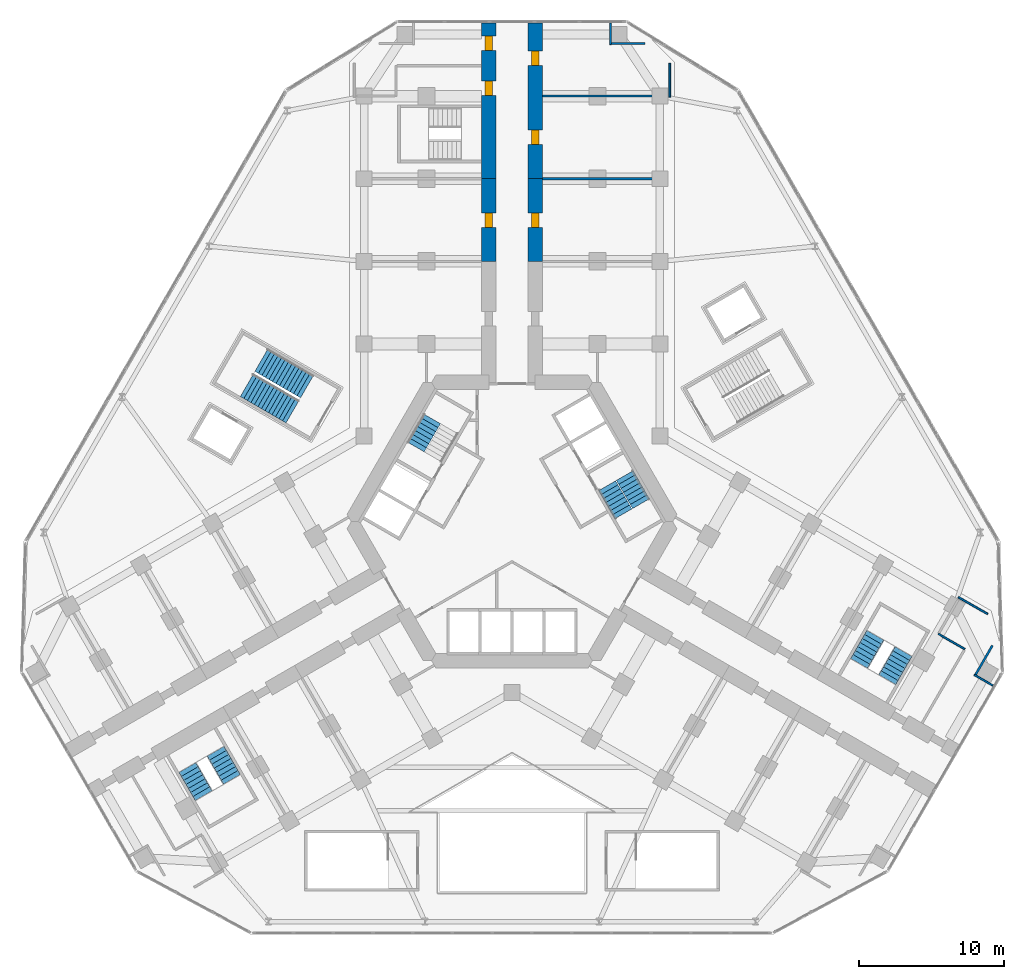
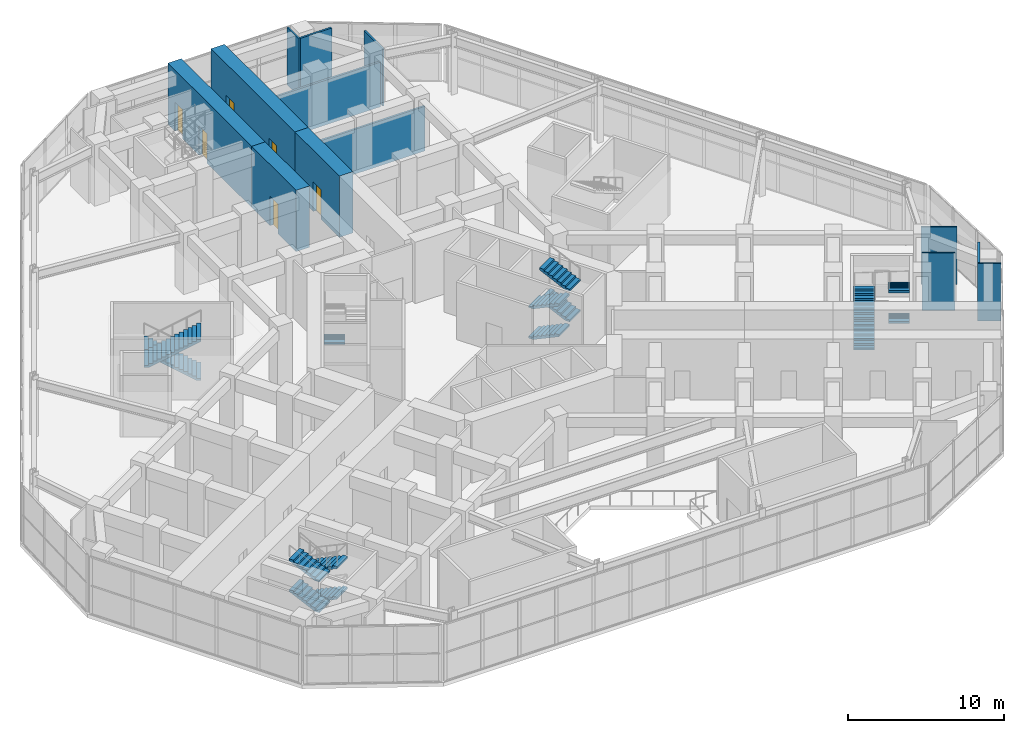
# One storey, part 18 of 22: 15 stair flights, 13 walls, 6 doors, 6 openings, 5 elements without a shape of their own.
"""IFC4 building model written with IfcOpenShell, lengths in metres."""

from ifc_helpers import new_model, si_unit, direction, frame, frame_2d, origin, place, context, subcontext, project, spatial, polyline, rectangle, outline, extrude, material, layer, layer_set, type_object, element, fill, aggregate, save


model = new_model("IFC4")

# Units and contexts
model_context = context("Model", 3, precision=1e-05, world=origin(), true_north=direction((0.0, 1.0)))
body_context = subcontext(model_context, "Body", "Model", "MODEL_VIEW")
ifc_project = project(units=[si_unit("LENGTHUNIT", "METRE"), si_unit("AREAUNIT", "SQUARE_METRE"), si_unit("VOLUMEUNIT", "CUBIC_METRE"), si_unit("PLANEANGLEUNIT", "RADIAN"), si_unit("MASSUNIT", "GRAM", prefix="KILO")], contexts=[model_context])

# Site, building, storey
site_placement = place(None, origin())
site = spatial("IfcSite", under=ifc_project, at=site_placement, CompositionType="ELEMENT")
building_placement = place(site_placement, origin())
building = spatial("IfcBuilding", under=site, at=building_placement, Name="Kosmar Iwan School Tower", CompositionType="ELEMENT")
storey_placement = place(building_placement, frame((0.0, 0.0, 15.60009765625)))
storey = spatial("IfcBuildingStorey", under=building, at=storey_placement, Name="L03", CompositionType="ELEMENT", Elevation=15.60009765625)

# Wall, opening, door
ifc_material_1 = material(Name="Concrete C50/60", Category="concrete")
ifc_layer_1 = layer(ifc_material_1, 1.0)
ifc_layer_set_1 = layer_set([ifc_layer_1], Name="Corridor buttress wall 1000")
wall_type_1 = type_object("IfcWallType", Name="Corridor buttress wall 1000", PredefinedType="SHEAR", material=ifc_layer_set_1)
wall_1_placement = place(storey_placement, frame((-1.60009765625, 17.949951171875, 0.0), z_axis=(0.0, 0.0, 1.0), x_axis=(0.0, 1.0, 0.0)))
wall_1 = element("IfcWall", 1, at=wall_1_placement, inside=storey, type_object=wall_type_1, Name="Corridor wall AL bay 2", PredefinedType="SHEAR", context=body_context, shape_type="SweptSolid", body=[
    extrude(rectangle(XDim=5.699951171875, YDim=1.0, at=frame_2d((2.85009765625, 0.0))), origin(), (0.0, 0.0, 1.0), 4.7998046875),
])
opening_1_placement = place(wall_1_placement, frame((2.35009765625, 0.0, 0.0)))
opening_1 = element("IfcOpeningElement", 2, at=opening_1_placement, cuts=wall_1, Name="Opening D4", PredefinedType="OPENING", context=body_context, shape_type="SweptSolid", body=[
    extrude(rectangle(XDim=1.0, YDim=2.300048828125, at=frame_2d((0.5, 1.14990234375))), frame((0.0, 0.511962890625, 0.0), z_axis=(0.0, -1.0, 0.0), x_axis=(1.0, 0.0, 0.0)), (0.0, 0.0, 1.0), 1.02392578125),
])
ifc_material_2 = material(Name="Timber fire door with vision panel", Category="wood")
door_type = type_object("IfcDoorType", Name="Classroom door 1000x2300", OperationType="SINGLE_SWING_LEFT", PredefinedType="DOOR", material=ifc_material_2)
door_1_placement = place(opening_1_placement, origin())
door_1 = element("IfcDoor", 3, at=door_1_placement, inside=storey, type_object=door_type, Name="Secondary classroom AL2 door L03-AL2", OperationType="SINGLE_SWING_RIGHT", OverallHeight=2.300048828125, OverallWidth=1.0, PredefinedType="DOOR", context=body_context, shape_type="SweptSolid", body=[
    extrude(rectangle(XDim=1.0, YDim=2.300048828125, at=frame_2d((0.5, 1.14990234375))), frame((0.0, 0.25, 0.0), z_axis=(0.0, -1.0, 0.0), x_axis=(1.0, 0.0, 0.0)), (0.0, 0.0, 1.0), 0.5),
])
fill(opening_1, door_1)

# Wall, openings, doors
wall_2_placement = place(storey_placement, frame((-1.60009765625, 23.64990234375, 0.0), z_axis=(0.0, 0.0, 1.0), x_axis=(0.0, 1.0, 0.0)))
wall_2 = element("IfcWall", 4, at=wall_2_placement, inside=storey, type_object=wall_type_1, Name="Corridor wall AL bay 3", PredefinedType="SHEAR", context=body_context, shape_type="SweptSolid", body=[
    extrude(rectangle(XDim=10.7451171875, YDim=1.0, at=frame_2d((5.37255859375, 0.0))), origin(), (0.0, 0.0, 1.0), 4.7998046875),
])
opening_2_placement = place(wall_2_placement, frame((5.75, 0.0, 0.0)))
opening_2 = element("IfcOpeningElement", 5, at=opening_2_placement, cuts=wall_2, Name="Opening D4", PredefinedType="OPENING", context=body_context, shape_type="SweptSolid", body=[
    extrude(rectangle(XDim=1.0, YDim=2.300048828125, at=frame_2d((0.5, 1.14990234375))), frame((0.0, 0.511962890625, 0.0), z_axis=(0.0, -1.0, 0.0), x_axis=(1.0, 0.0, 0.0)), (0.0, 0.0, 1.0), 1.02392578125),
])
opening_3_placement = place(wall_2_placement, frame((8.860107421875, 0.0, 0.0)))
opening_3 = element("IfcOpeningElement", 6, at=opening_3_placement, cuts=wall_2, Name="Opening D4", PredefinedType="OPENING", context=body_context, shape_type="SweptSolid", body=[
    extrude(rectangle(XDim=1.0, YDim=2.300048828125, at=frame_2d((0.5, 1.14990234375))), frame((0.0, 0.511962890625, 0.0), z_axis=(0.0, -1.0, 0.0), x_axis=(1.0, 0.0, 0.0)), (0.0, 0.0, 1.0), 1.02392578125),
])
door_2_placement = place(opening_2_placement, origin())
door_2 = element("IfcDoor", 7, at=door_2_placement, inside=storey, type_object=door_type, Name="Secondary classroom AL3 door L03-AL3", OperationType="SINGLE_SWING_LEFT", OverallHeight=2.300048828125, OverallWidth=1.0, PredefinedType="DOOR", context=body_context, shape_type="SweptSolid", body=[
    extrude(rectangle(XDim=1.0, YDim=2.300048828125, at=frame_2d((0.5, 1.14990234375))), frame((0.0, 0.25, 0.0), z_axis=(0.0, -1.0, 0.0), x_axis=(1.0, 0.0, 0.0)), (0.0, 0.0, 1.0), 0.5),
])
fill(opening_2, door_2)
door_3_placement = place(opening_3_placement, origin())
door_3 = element("IfcDoor", 8, at=door_3_placement, inside=storey, type_object=door_type, Name="Toilets door L03-AL4", OperationType="SINGLE_SWING_RIGHT", OverallHeight=2.300048828125, OverallWidth=1.0, PredefinedType="DOOR", context=body_context, shape_type="SweptSolid", body=[
    extrude(rectangle(XDim=1.0, YDim=2.300048828125, at=frame_2d((0.5, 1.14990234375))), frame((0.0, 0.25, 0.0), z_axis=(0.0, -1.0, 0.0), x_axis=(1.0, 0.0, 0.0)), (0.0, 0.0, 1.0), 0.5),
])
fill(opening_3, door_3)

# Wall, opening, door
wall_3_placement = place(storey_placement, frame((1.60009765625, 17.949951171875, 0.0), z_axis=(0.0, 0.0, 1.0), x_axis=(0.0, 1.0, 0.0)))
wall_3 = element("IfcWall", 9, at=wall_3_placement, inside=storey, type_object=wall_type_1, Name="Corridor wall AR bay 2", PredefinedType="SHEAR", context=body_context, shape_type="SweptSolid", body=[
    extrude(rectangle(XDim=5.699951171875, YDim=1.0, at=frame_2d((2.85009765625, 0.0))), origin(), (0.0, 0.0, 1.0), 4.7998046875),
])
opening_4_placement = place(wall_3_placement, frame((2.35009765625, 0.0, 0.0)))
opening_4 = element("IfcOpeningElement", 10, at=opening_4_placement, cuts=wall_3, Name="Opening D4", PredefinedType="OPENING", context=body_context, shape_type="SweptSolid", body=[
    extrude(rectangle(XDim=1.0, YDim=2.300048828125, at=frame_2d((0.5, 1.14990234375))), frame((0.0, 0.511962890625, 0.0), z_axis=(0.0, -1.0, 0.0), x_axis=(1.0, 0.0, 0.0)), (0.0, 0.0, 1.0), 1.02392578125),
])
door_4_placement = place(opening_4_placement, origin())
door_4 = element("IfcDoor", 11, at=door_4_placement, inside=storey, type_object=door_type, Name="Secondary classroom AR2 door L03-AR2", OperationType="SINGLE_SWING_LEFT", OverallHeight=2.300048828125, OverallWidth=1.0, PredefinedType="DOOR", context=body_context, shape_type="SweptSolid", body=[
    extrude(rectangle(XDim=1.0, YDim=2.300048828125, at=frame_2d((0.5, 1.14990234375))), frame((0.0, 0.25, 0.0), z_axis=(0.0, -1.0, 0.0), x_axis=(1.0, 0.0, 0.0)), (0.0, 0.0, 1.0), 0.5),
])
fill(opening_4, door_4)

# Wall, openings, doors
wall_4_placement = place(storey_placement, frame((1.60009765625, 23.64990234375, 0.0), z_axis=(0.0, 0.0, 1.0), x_axis=(0.0, 1.0, 0.0)))
wall_4 = element("IfcWall", 12, at=wall_4_placement, inside=storey, type_object=wall_type_1, Name="Corridor wall AR bay 3", PredefinedType="SHEAR", context=body_context, shape_type="SweptSolid", body=[
    extrude(rectangle(XDim=10.7451171875, YDim=1.0, at=frame_2d((5.37255859375, 0.0))), origin(), (0.0, 0.0, 1.0), 4.7998046875),
])
opening_5_placement = place(wall_4_placement, frame((2.35009765625, 0.0, 0.0)))
opening_5 = element("IfcOpeningElement", 13, at=opening_5_placement, cuts=wall_4, Name="Opening D4", PredefinedType="OPENING", context=body_context, shape_type="SweptSolid", body=[
    extrude(rectangle(XDim=1.0, YDim=2.300048828125, at=frame_2d((0.5, 1.14990234375))), frame((0.0, 0.511962890625, 0.0), z_axis=(0.0, -1.0, 0.0), x_axis=(1.0, 0.0, 0.0)), (0.0, 0.0, 1.0), 1.02392578125),
])
opening_6_placement = place(wall_4_placement, frame((7.824951171875, 0.0, 0.0)))
opening_6 = element("IfcOpeningElement", 14, at=opening_6_placement, cuts=wall_4, Name="Opening D4", PredefinedType="OPENING", context=body_context, shape_type="SweptSolid", body=[
    extrude(rectangle(XDim=1.0, YDim=2.300048828125, at=frame_2d((0.5, 1.14990234375))), frame((0.0, 0.511962890625, 0.0), z_axis=(0.0, -1.0, 0.0), x_axis=(1.0, 0.0, 0.0)), (0.0, 0.0, 1.0), 1.02392578125),
])
door_5_placement = place(opening_5_placement, origin())
door_5 = element("IfcDoor", 15, at=door_5_placement, inside=storey, type_object=door_type, Name="Secondary classroom AR3 door L03-AR3", OperationType="SINGLE_SWING_LEFT", OverallHeight=2.300048828125, OverallWidth=1.0, PredefinedType="DOOR", context=body_context, shape_type="SweptSolid", body=[
    extrude(rectangle(XDim=1.0, YDim=2.300048828125, at=frame_2d((0.5, 1.14990234375))), frame((0.0, 0.25, 0.0), z_axis=(0.0, -1.0, 0.0), x_axis=(1.0, 0.0, 0.0)), (0.0, 0.0, 1.0), 0.5),
])
fill(opening_5, door_5)
door_6_placement = place(opening_6_placement, origin())
door_6 = element("IfcDoor", 16, at=door_6_placement, inside=storey, type_object=door_type, Name="Toilets door L03-AR4", OperationType="SINGLE_SWING_RIGHT", OverallHeight=2.300048828125, OverallWidth=1.0, PredefinedType="DOOR", context=body_context, shape_type="SweptSolid", body=[
    extrude(rectangle(XDim=1.0, YDim=2.300048828125, at=frame_2d((0.5, 1.14990234375))), frame((0.0, 0.25, 0.0), z_axis=(0.0, -1.0, 0.0), x_axis=(1.0, 0.0, 0.0)), (0.0, 0.0, 1.0), 0.5),
])
fill(opening_6, door_6)

# Walls
ifc_material_3 = material(Name="Gypsum board on steel studs", Category="steel")
ifc_layer_2 = layer(ifc_material_3, 0.1201171875)
ifc_layer_set_2 = layer_set([ifc_layer_2], Name="Dwelling partition 120")
wall_type_2 = type_object("IfcWallType", Name="Dwelling partition 120", PredefinedType="PARTITIONING", material=ifc_layer_set_2)
wall_5_placement = place(storey_placement, frame((6.7900390625, 32.89990234375, 0.0), z_axis=(0.0, 0.0, 1.0), x_axis=(0.0, 1.0, 0.0)))
element("IfcWall", 17, at=wall_5_placement, inside=storey, type_object=wall_type_2, Name="Partition L03-AR-DL", PredefinedType="PARTITIONING", context=body_context, shape_type="SweptSolid", body=[
    extrude(rectangle(XDim=1.4951171875, YDim=0.1201171875, at=frame_2d((0.74755859375, 0.0))), origin(), (0.0, 0.0, 1.0), 4.5),
])
wall_6_placement = place(storey_placement, frame((10.8798828125, 29.27490234375, 0.0), z_axis=(0.0, 0.0, 1.0), x_axis=(0.0, 1.0, 0.0)))
element("IfcWall", 18, at=wall_6_placement, inside=storey, type_object=wall_type_2, Name="Partition L03-AR-TW", PredefinedType="PARTITIONING", context=body_context, shape_type="SweptSolid", body=[
    extrude(rectangle(XDim=2.3251953125, YDim=0.1201171875, at=frame_2d((1.16259765625, 0.0))), origin(), (0.0, 0.0, 1.0), 4.5),
])
wall_7_placement = place(storey_placement, frame((31.88720703125, -10.569580078125, 0.0), z_axis=(0.0, 0.0, 1.0), x_axis=(0.866003374288, -0.500038154266, 0.0)))
element("IfcWall", 19, at=wall_7_placement, inside=storey, type_object=wall_type_2, Name="Partition L03-CL-DL", PredefinedType="PARTITIONING", context=body_context, shape_type="SweptSolid", body=[
    extrude(rectangle(XDim=1.4951171875, YDim=0.1201171875, at=frame_2d((0.74755859375, 0.0))), origin(), (0.0, 0.0, 1.0), 4.5),
])
wall_8_placement = place(storey_placement, frame((30.79296875, -5.215087890625, 0.0), z_axis=(0.0, 0.0, 1.0), x_axis=(0.865998469481, -0.500046648681, 0.0)))
element("IfcWall", 20, at=wall_8_placement, inside=storey, type_object=wall_type_2, Name="Partition L03-CL-TW", PredefinedType="PARTITIONING", context=body_context, shape_type="SweptSolid", body=[
    extrude(rectangle(XDim=2.324951171875, YDim=0.1201171875, at=frame_2d((1.16259765625, 0.0))), origin(), (0.0, 0.0, 1.0), 4.5),
])
wall_9_placement = place(storey_placement, frame((29.417724609375, -7.746826171875, 0.0), z_axis=(0.0, 0.0, 1.0), x_axis=(0.866038466041, -0.499977374825, 0.0)))
element("IfcWall", 21, at=wall_9_placement, inside=storey, type_object=wall_type_2, Name="Partition L03-CL-X3L", PredefinedType="PARTITIONING", context=body_context, shape_type="SweptSolid", body=[
    extrude(rectangle(XDim=2.10009765625, YDim=0.1201171875, at=frame_2d((1.050048828125, 0.0))), origin(), (0.0, 0.0, 1.0), 4.5),
])
ifc_material_4 = material(Name="Gypsum board on steel studs", Category="steel")
ifc_layer_3 = layer(ifc_material_4, 0.14990234375)
ifc_layer_set_3 = layer_set([ifc_layer_3], Name="School partition 150")
wall_type_3 = type_object("IfcWallType", Name="School partition 150", PredefinedType="PARTITIONING", material=ifc_layer_set_3)
wall_10_placement = place(storey_placement, frame((6.72998046875, 32.97509765625, 0.0), z_axis=(0.0, 0.0, 1.0), x_axis=(1.0, 0.0, 0.0)))
element("IfcWall", 22, at=wall_10_placement, inside=storey, type_object=wall_type_3, Name="Partition L03-AR-DC", PredefinedType="PARTITIONING", context=body_context, shape_type="SweptSolid", body=[
    extrude(rectangle(XDim=2.445068359375, YDim=0.14990234375, at=frame_2d((1.22265625, 0.0))), origin(), (0.0, 0.0, 1.0), 4.5),
])
for number, where, z_axis, x_axis, name in (
    (23, (2.10009765625, 23.64990234375, 0.0), (0.0, 0.0, 1.0), (1.0, 0.0, 0.0), "Partition L03-AR-X2"),
    (24, (2.10009765625, 29.35009765625, 0.0), (0.0, 0.0, 1.0), (1.0, 0.0, 0.0), "Partition L03-AR-X3"),
):
    element("IfcWall", number, at=place(storey_placement, frame(where, z_axis=z_axis, x_axis=x_axis)), inside=storey, type_object=wall_type_3, Name=name, PredefinedType="PARTITIONING", context=body_context, shape_type="SweptSolid", body=[
        extrude(rectangle(XDim=8.599853515625, YDim=0.14990234375, at=frame_2d((4.2998046875, 0.0))), origin(), (0.0, 0.0, 1.0), 3.5),
    ])
wall_11_placement = place(storey_placement, frame((31.922119140625, -10.6591796875, 0.0), z_axis=(0.0, 0.0, 1.0), x_axis=(0.500048010679, 0.865997683031, 0.0)))
element("IfcWall", 25, at=wall_11_placement, inside=storey, type_object=wall_type_3, Name="Partition L03-CL-DC", PredefinedType="PARTITIONING", context=body_context, shape_type="SweptSolid", body=[
    extrude(rectangle(XDim=2.445068359375, YDim=0.14990234375, at=frame_2d((1.22265625, 0.0))), origin(), (0.0, 0.0, 1.0), 4.5),
])

# Stair, stair flights
ifc_material_5 = material(Name="Concrete C35/45", Category="concrete")
stair_type_1 = type_object("IfcStairType", Name="Escape stair 3600", PredefinedType="HALF_TURN_STAIR", material=ifc_material_5)
stair_1_placement = place(storey_placement, origin())
stair_1 = element("IfcStair", 26, at=stair_1_placement, inside=storey, type_object=stair_type_1, Name="Stair WS2 L03", PredefinedType="HALF_TURN_STAIR")
ifc_material_6 = material(Name="Concrete C35/45", Category="concrete")
stair_flight_type_1 = type_object("IfcStairFlightType", Name="Escape stair flight 1350", PredefinedType="STRAIGHT", material=ifc_material_6)
stair_flight_1_placement = place(storey_placement, frame((-20.44189453125, -15.843505859375, 0.0), z_axis=(0.0, 0.0, 1.0), x_axis=(0.5, -0.866025403784, 0.0)))
stair_flight_1 = element("IfcStairFlight", 27, at=stair_flight_1_placement, type_object=stair_flight_type_1, Name="WS2 flight 1", NumberOfRisers=8, NumberOfTreads=7, PredefinedType="STRAIGHT", RiserHeight=0.15, TreadLength=0.32, context=body_context, shape_type="SweptSolid", body=[
    extrude(outline(polyline([(0.0, 0.0), (0.0, 0.14990234375), (0.320068359375, 0.14990234375), (0.320068359375, 0.300048828125), (0.639892578125, 0.300048828125), (0.639892578125, 0.449951171875), (0.9599609375, 0.449951171875), (0.9599609375, 0.60009765625), (1.280029296875, 0.60009765625), (1.280029296875, 0.75), (1.60009765625, 0.75), (1.60009765625, 0.89990234375), (1.919921875, 0.89990234375), (1.919921875, 1.050048828125), (2.239990234375, 1.050048828125), (2.239990234375, 1.199951171875), (2.239990234375, 0.884521484375), (0.353271484375, 0.0), (0.0, 0.0)])), frame((0.0, 0.675048828125, 0.0), z_axis=(0.0, -1.0, 0.0), x_axis=(1.0, 0.0, 0.0)), (0.0, 0.0, 1.0), 1.35009765625),
])
stair_flight_2_placement = place(storey_placement, frame((-21.2705078125, -18.908447265625, 1.199951171875), z_axis=(0.0, 0.0, 1.0), x_axis=(-0.5, 0.866025403784, 0.0)))
stair_flight_2 = element("IfcStairFlight", 28, at=stair_flight_2_placement, type_object=stair_flight_type_1, Name="WS2 flight 2", NumberOfRisers=8, NumberOfTreads=7, PredefinedType="STRAIGHT", RiserHeight=0.15, TreadLength=0.32, context=body_context, shape_type="SweptSolid", body=[
    extrude(outline(polyline([(0.0, 0.0), (0.0, 0.14990234375), (0.320068359375, 0.14990234375), (0.320068359375, 0.300048828125), (0.639892578125, 0.300048828125), (0.639892578125, 0.449951171875), (0.9599609375, 0.449951171875), (0.9599609375, 0.60009765625), (1.280029296875, 0.60009765625), (1.280029296875, 0.75), (1.60009765625, 0.75), (1.60009765625, 0.89990234375), (1.919921875, 0.89990234375), (1.919921875, 1.050048828125), (2.239990234375, 1.050048828125), (2.239990234375, 1.199951171875), (2.239990234375, 0.884521484375), (0.353271484375, 0.0), (0.0, 0.0)])), frame((0.0, 0.675048828125, 0.0), z_axis=(0.0, -1.0, 0.0), x_axis=(1.0, 0.0, 0.0)), (0.0, 0.0, 1.0), 1.35009765625),
])
stair_flight_3_placement = place(storey_placement, frame((-20.44189453125, -15.843505859375, 2.39990234375), z_axis=(0.0, 0.0, 1.0), x_axis=(0.5, -0.866025403784, 0.0)))
stair_flight_3 = element("IfcStairFlight", 29, at=stair_flight_3_placement, type_object=stair_flight_type_1, Name="WS2 flight 3", NumberOfRisers=8, NumberOfTreads=7, PredefinedType="STRAIGHT", RiserHeight=0.15, TreadLength=0.32, context=body_context, shape_type="SweptSolid", body=[
    extrude(outline(polyline([(0.0, 0.0), (0.0, 0.14990234375), (0.320068359375, 0.14990234375), (0.320068359375, 0.300048828125), (0.639892578125, 0.300048828125), (0.639892578125, 0.449951171875), (0.9599609375, 0.449951171875), (0.9599609375, 0.60009765625), (1.280029296875, 0.60009765625), (1.280029296875, 0.75), (1.60009765625, 0.75), (1.60009765625, 0.89990234375), (1.919921875, 0.89990234375), (1.919921875, 1.050048828125), (2.239990234375, 1.050048828125), (2.239990234375, 1.199951171875), (2.239990234375, 0.884521484375), (0.353271484375, 0.0), (0.0, 0.0)])), frame((0.0, 0.675048828125, 0.0), z_axis=(0.0, -1.0, 0.0), x_axis=(1.0, 0.0, 0.0)), (0.0, 0.0, 1.0), 1.35009765625),
])
stair_flight_4_placement = place(storey_placement, frame((-21.2705078125, -18.908447265625, 3.599853515625), z_axis=(0.0, 0.0, 1.0), x_axis=(-0.5, 0.866025403784, 0.0)))
stair_flight_4 = element("IfcStairFlight", 30, at=stair_flight_4_placement, type_object=stair_flight_type_1, Name="WS2 flight 4", NumberOfRisers=8, NumberOfTreads=7, PredefinedType="STRAIGHT", RiserHeight=0.15, TreadLength=0.32, context=body_context, shape_type="SweptSolid", body=[
    extrude(outline(polyline([(0.0, 0.0), (0.0, 0.14990234375), (0.320068359375, 0.14990234375), (0.320068359375, 0.300048828125), (0.639892578125, 0.300048828125), (0.639892578125, 0.449951171875), (0.9599609375, 0.449951171875), (0.9599609375, 0.60009765625), (1.280029296875, 0.60009765625), (1.280029296875, 0.75), (1.60009765625, 0.75), (1.60009765625, 0.89990234375), (1.919921875, 0.89990234375), (1.919921875, 1.050048828125), (2.239990234375, 1.050048828125), (2.239990234375, 1.199951171875), (2.239990234375, 0.884521484375), (0.353271484375, 0.0), (0.0, 0.0)])), frame((0.0, 0.675048828125, 0.0), z_axis=(0.0, -1.0, 0.0), x_axis=(1.0, 0.0, 0.0)), (0.0, 0.0, 1.0), 1.35009765625),
])
aggregate(stair_1, [stair_flight_1, stair_flight_2, stair_flight_3, stair_flight_4])

stair_2_placement = place(storey_placement, origin())
stair_2 = element("IfcStair", 31, at=stair_2_placement, inside=storey, type_object=stair_type_1, Name="Stair WS3 L03", PredefinedType="HALF_TURN_STAIR")
stair_flight_5_placement = place(storey_placement, frame((23.94189453125, -9.781494140625, 0.0), z_axis=(0.0, 0.0, 1.0), x_axis=(0.5, 0.866025403784, 0.0)))
stair_flight_5 = element("IfcStairFlight", 32, at=stair_flight_5_placement, type_object=stair_flight_type_1, Name="WS3 flight 1", NumberOfRisers=8, NumberOfTreads=7, PredefinedType="STRAIGHT", RiserHeight=0.15, TreadLength=0.32, context=body_context, shape_type="SweptSolid", body=[
    extrude(outline(polyline([(0.0, 0.0), (0.0, 0.14990234375), (0.320068359375, 0.14990234375), (0.320068359375, 0.300048828125), (0.639892578125, 0.300048828125), (0.639892578125, 0.449951171875), (0.9599609375, 0.449951171875), (0.9599609375, 0.60009765625), (1.280029296875, 0.60009765625), (1.280029296875, 0.75), (1.60009765625, 0.75), (1.60009765625, 0.89990234375), (1.919921875, 0.89990234375), (1.919921875, 1.050048828125), (2.239990234375, 1.050048828125), (2.239990234375, 1.199951171875), (2.239990234375, 0.884521484375), (0.353271484375, 0.0), (0.0, 0.0)])), frame((0.0, 0.675048828125, 0.0), z_axis=(0.0, -1.0, 0.0), x_axis=(1.0, 0.0, 0.0)), (0.0, 0.0, 1.0), 1.35009765625),
])
stair_flight_6_placement = place(storey_placement, frame((27.010498046875, -8.966552734375, 1.199951171875), z_axis=(0.0, 0.0, 1.0), x_axis=(-0.5, -0.866025403784, 0.0)))
stair_flight_6 = element("IfcStairFlight", 33, at=stair_flight_6_placement, type_object=stair_flight_type_1, Name="WS3 flight 2", NumberOfRisers=8, NumberOfTreads=7, PredefinedType="STRAIGHT", RiserHeight=0.15, TreadLength=0.32, context=body_context, shape_type="SweptSolid", body=[
    extrude(outline(polyline([(0.0, 0.0), (0.0, 0.14990234375), (0.320068359375, 0.14990234375), (0.320068359375, 0.300048828125), (0.639892578125, 0.300048828125), (0.639892578125, 0.449951171875), (0.9599609375, 0.449951171875), (0.9599609375, 0.60009765625), (1.280029296875, 0.60009765625), (1.280029296875, 0.75), (1.60009765625, 0.75), (1.60009765625, 0.89990234375), (1.919921875, 0.89990234375), (1.919921875, 1.050048828125), (2.239990234375, 1.050048828125), (2.239990234375, 1.199951171875), (2.239990234375, 0.884521484375), (0.353271484375, 0.0), (0.0, 0.0)])), frame((0.0, 0.675048828125, 0.0), z_axis=(0.0, -1.0, 0.0), x_axis=(1.0, 0.0, 0.0)), (0.0, 0.0, 1.0), 1.35009765625),
])
stair_flight_7_placement = place(storey_placement, frame((23.94189453125, -9.781494140625, 2.39990234375), z_axis=(0.0, 0.0, 1.0), x_axis=(0.5, 0.866025403784, 0.0)))
stair_flight_7 = element("IfcStairFlight", 34, at=stair_flight_7_placement, type_object=stair_flight_type_1, Name="WS3 flight 3", NumberOfRisers=8, NumberOfTreads=7, PredefinedType="STRAIGHT", RiserHeight=0.15, TreadLength=0.32, context=body_context, shape_type="SweptSolid", body=[
    extrude(outline(polyline([(0.0, 0.0), (0.0, 0.14990234375), (0.320068359375, 0.14990234375), (0.320068359375, 0.300048828125), (0.639892578125, 0.300048828125), (0.639892578125, 0.449951171875), (0.9599609375, 0.449951171875), (0.9599609375, 0.60009765625), (1.280029296875, 0.60009765625), (1.280029296875, 0.75), (1.60009765625, 0.75), (1.60009765625, 0.89990234375), (1.919921875, 0.89990234375), (1.919921875, 1.050048828125), (2.239990234375, 1.050048828125), (2.239990234375, 1.199951171875), (2.239990234375, 0.884521484375), (0.353271484375, 0.0), (0.0, 0.0)])), frame((0.0, 0.675048828125, 0.0), z_axis=(0.0, -1.0, 0.0), x_axis=(1.0, 0.0, 0.0)), (0.0, 0.0, 1.0), 1.35009765625),
])
stair_flight_8_placement = place(storey_placement, frame((27.010498046875, -8.966552734375, 3.599853515625), z_axis=(0.0, 0.0, 1.0), x_axis=(-0.5, -0.866025403784, 0.0)))
stair_flight_8 = element("IfcStairFlight", 35, at=stair_flight_8_placement, type_object=stair_flight_type_1, Name="WS3 flight 4", NumberOfRisers=8, NumberOfTreads=7, PredefinedType="STRAIGHT", RiserHeight=0.15, TreadLength=0.32, context=body_context, shape_type="SweptSolid", body=[
    extrude(outline(polyline([(0.0, 0.0), (0.0, 0.14990234375), (0.320068359375, 0.14990234375), (0.320068359375, 0.300048828125), (0.639892578125, 0.300048828125), (0.639892578125, 0.449951171875), (0.9599609375, 0.449951171875), (0.9599609375, 0.60009765625), (1.280029296875, 0.60009765625), (1.280029296875, 0.75), (1.60009765625, 0.75), (1.60009765625, 0.89990234375), (1.919921875, 0.89990234375), (1.919921875, 1.050048828125), (2.239990234375, 1.050048828125), (2.239990234375, 1.199951171875), (2.239990234375, 0.884521484375), (0.353271484375, 0.0), (0.0, 0.0)])), frame((0.0, 0.675048828125, 0.0), z_axis=(0.0, -1.0, 0.0), x_axis=(1.0, 0.0, 0.0)), (0.0, 0.0, 1.0), 1.35009765625),
])
aggregate(stair_2, [stair_flight_5, stair_flight_6, stair_flight_7, stair_flight_8])

ifc_material_7 = material(Name="Concrete C35/45", Category="concrete")
stair_type_2 = type_object("IfcStairType", Name="School stair 3800", PredefinedType="HALF_TURN_STAIR", material=ifc_material_7)
stair_3_placement = place(storey_placement, origin())
stair_3 = element("IfcStair", 36, at=stair_3_placement, inside=storey, type_object=stair_type_2, Name="School stair SS4 L03", PredefinedType="HALF_TURN_STAIR")
ifc_material_8 = material(Name="Concrete C35/45", Category="concrete")
stair_flight_type_2 = type_object("IfcStairFlightType", Name="School stair flight 1800", PredefinedType="STRAIGHT", material=ifc_material_8)
stair_flight_9_placement = place(storey_placement, frame((-14.1357421875, 9.31591796875, 0.0), z_axis=(0.0, 0.0, 1.0), x_axis=(-0.866025403784, 0.5, 0.0)))
stair_flight_9 = element("IfcStairFlight", 37, at=stair_flight_9_placement, type_object=stair_flight_type_2, Name="SS4 flight 1", NumberOfRisers=14, NumberOfTreads=13, PredefinedType="STRAIGHT", RiserHeight=0.171428571, TreadLength=0.28, context=body_context, shape_type="SweptSolid", body=[
    extrude(outline(polyline([(0.0, 0.0), (0.0, 0.17138671875), (0.280029296875, 0.17138671875), (0.280029296875, 0.3427734375), (0.56005859375, 0.3427734375), (0.56005859375, 0.514404296875), (0.840087890625, 0.514404296875), (0.840087890625, 0.685791015625), (1.1201171875, 0.685791015625), (1.1201171875, 0.857177734375), (1.39990234375, 0.857177734375), (1.39990234375, 1.028564453125), (1.679931640625, 1.028564453125), (1.679931640625, 1.199951171875), (1.9599609375, 1.199951171875), (1.9599609375, 1.371337890625), (2.239990234375, 1.371337890625), (2.239990234375, 1.54296875), (2.52001953125, 1.54296875), (2.52001953125, 1.71435546875), (2.800048828125, 1.71435546875), (2.800048828125, 1.8857421875), (3.080078125, 1.8857421875), (3.080078125, 2.05712890625), (3.360107421875, 2.05712890625), (3.360107421875, 2.228515625), (3.639892578125, 2.228515625), (3.639892578125, 2.39990234375), (3.639892578125, 2.052734375), (0.287109375, 0.0), (0.0, 0.0)])), frame((0.0, 0.89990234375, 0.0), z_axis=(0.0, -1.0, 0.0), x_axis=(1.0, 0.0, 0.0)), (0.0, 0.0, 1.0), 1.800048828125),
])
stair_flight_10_placement = place(storey_placement, frame((-18.2880859375, 9.404052734375, 2.39990234375), z_axis=(0.0, 0.0, 1.0), x_axis=(0.866025403784, -0.5, 0.0)))
stair_flight_10 = element("IfcStairFlight", 38, at=stair_flight_10_placement, type_object=stair_flight_type_2, Name="SS4 flight 2", NumberOfRisers=14, NumberOfTreads=13, PredefinedType="STRAIGHT", RiserHeight=0.171428571, TreadLength=0.28, context=body_context, shape_type="SweptSolid", body=[
    extrude(outline(polyline([(0.0, 0.0), (0.0, 0.17138671875), (0.280029296875, 0.17138671875), (0.280029296875, 0.3427734375), (0.56005859375, 0.3427734375), (0.56005859375, 0.514404296875), (0.840087890625, 0.514404296875), (0.840087890625, 0.685791015625), (1.1201171875, 0.685791015625), (1.1201171875, 0.857177734375), (1.39990234375, 0.857177734375), (1.39990234375, 1.028564453125), (1.679931640625, 1.028564453125), (1.679931640625, 1.199951171875), (1.9599609375, 1.199951171875), (1.9599609375, 1.371337890625), (2.239990234375, 1.371337890625), (2.239990234375, 1.54296875), (2.52001953125, 1.54296875), (2.52001953125, 1.71435546875), (2.800048828125, 1.71435546875), (2.800048828125, 1.8857421875), (3.080078125, 1.8857421875), (3.080078125, 2.05712890625), (3.360107421875, 2.05712890625), (3.360107421875, 2.228515625), (3.639892578125, 2.228515625), (3.639892578125, 2.39990234375), (3.639892578125, 2.052734375), (0.287109375, 0.0), (0.0, 0.0)])), frame((0.0, 0.89990234375, 0.0), z_axis=(0.0, -1.0, 0.0), x_axis=(1.0, 0.0, 0.0)), (0.0, 0.0, 1.0), 1.800048828125),
])
aggregate(stair_3, [stair_flight_9, stair_flight_10])

# Stair, stair flight
ifc_material_9 = material(Name="Concrete C35/45", Category="concrete")
stair_type_3 = type_object("IfcStairType", Name="Core stair 2750", PredefinedType="HALF_TURN_STAIR", material=ifc_material_9)
stair_4_placement = place(storey_placement, origin())
stair_4 = element("IfcStair", 39, at=stair_4_placement, inside=storey, type_object=stair_type_3, Name="Stair ST2 L03", PredefinedType="HALF_TURN_STAIR")
ifc_material_10 = material(Name="Concrete C35/45", Category="concrete")
stair_flight_type_3 = type_object("IfcStairFlightType", Name="Stair flight 1350", PredefinedType="STRAIGHT", material=ifc_material_10)
stair_flight_11_placement = place(storey_placement, frame((-5.519775390625, 7.089599609375, 1.199951171875), z_axis=(0.0, 0.0, 1.0), x_axis=(-0.5, -0.866025403784, 0.0)))
stair_flight_11 = element("IfcStairFlight", 40, at=stair_flight_11_placement, type_object=stair_flight_type_3, Name="ST2 flight 2", NumberOfRisers=8, NumberOfTreads=7, PredefinedType="STRAIGHT", RiserHeight=0.15, TreadLength=0.32, context=body_context, shape_type="SweptSolid", body=[
    extrude(outline(polyline([(0.0, 0.0), (0.0, 0.14990234375), (0.320068359375, 0.14990234375), (0.320068359375, 0.300048828125), (0.639892578125, 0.300048828125), (0.639892578125, 0.449951171875), (0.9599609375, 0.449951171875), (0.9599609375, 0.60009765625), (1.280029296875, 0.60009765625), (1.280029296875, 0.75), (1.60009765625, 0.75), (1.60009765625, 0.89990234375), (1.919921875, 0.89990234375), (1.919921875, 1.050048828125), (2.239990234375, 1.050048828125), (2.239990234375, 1.199951171875), (2.239990234375, 0.884521484375), (0.353271484375, 0.0), (0.0, 0.0)])), frame((0.0, 0.675048828125, 0.0), z_axis=(0.0, -1.0, 0.0), x_axis=(1.0, 0.0, 0.0)), (0.0, 0.0, 1.0), 1.35009765625),
])
aggregate(stair_4, [stair_flight_11])

# Stair, stair flights
stair_5_placement = place(storey_placement, origin())
stair_5 = element("IfcStair", 41, at=stair_5_placement, inside=storey, type_object=stair_type_3, Name="Stair ST1 L03", PredefinedType="HALF_TURN_STAIR")
stair_flight_12_placement = place(storey_placement, frame((6.567138671875, 2.475341796875, 0.0), z_axis=(0.0, 0.0, 1.0), x_axis=(0.5, -0.866025403784, 0.0)))
stair_flight_12 = element("IfcStairFlight", 42, at=stair_flight_12_placement, type_object=stair_flight_type_3, Name="ST1 flight 1", NumberOfRisers=8, NumberOfTreads=7, PredefinedType="STRAIGHT", RiserHeight=0.15, TreadLength=0.32, context=body_context, shape_type="SweptSolid", body=[
    extrude(outline(polyline([(0.0, 0.0), (0.0, 0.14990234375), (0.320068359375, 0.14990234375), (0.320068359375, 0.300048828125), (0.639892578125, 0.300048828125), (0.639892578125, 0.449951171875), (0.9599609375, 0.449951171875), (0.9599609375, 0.60009765625), (1.280029296875, 0.60009765625), (1.280029296875, 0.75), (1.60009765625, 0.75), (1.60009765625, 0.89990234375), (1.919921875, 0.89990234375), (1.919921875, 1.050048828125), (2.239990234375, 1.050048828125), (2.239990234375, 1.199951171875), (2.239990234375, 0.884521484375), (0.353271484375, 0.0), (0.0, 0.0)])), frame((0.0, 0.675048828125, 0.0), z_axis=(0.0, -1.0, 0.0), x_axis=(1.0, 0.0, 0.0)), (0.0, 0.0, 1.0), 1.35009765625),
])
stair_flight_13_placement = place(storey_placement, frame((8.899658203125, 1.2353515625, 1.199951171875), z_axis=(0.0, 0.0, 1.0), x_axis=(-0.5, 0.866025403784, 0.0)))
stair_flight_13 = element("IfcStairFlight", 43, at=stair_flight_13_placement, type_object=stair_flight_type_3, Name="ST1 flight 2", NumberOfRisers=8, NumberOfTreads=7, PredefinedType="STRAIGHT", RiserHeight=0.15, TreadLength=0.32, context=body_context, shape_type="SweptSolid", body=[
    extrude(outline(polyline([(0.0, 0.0), (0.0, 0.14990234375), (0.320068359375, 0.14990234375), (0.320068359375, 0.300048828125), (0.639892578125, 0.300048828125), (0.639892578125, 0.449951171875), (0.9599609375, 0.449951171875), (0.9599609375, 0.60009765625), (1.280029296875, 0.60009765625), (1.280029296875, 0.75), (1.60009765625, 0.75), (1.60009765625, 0.89990234375), (1.919921875, 0.89990234375), (1.919921875, 1.050048828125), (2.239990234375, 1.050048828125), (2.239990234375, 1.199951171875), (2.239990234375, 0.884521484375), (0.353271484375, 0.0), (0.0, 0.0)])), frame((0.0, 0.675048828125, 0.0), z_axis=(0.0, -1.0, 0.0), x_axis=(1.0, 0.0, 0.0)), (0.0, 0.0, 1.0), 1.35009765625),
])
stair_flight_14_placement = place(storey_placement, frame((6.567138671875, 2.475341796875, 2.39990234375), z_axis=(0.0, 0.0, 1.0), x_axis=(0.5, -0.866025403784, 0.0)))
stair_flight_14 = element("IfcStairFlight", 44, at=stair_flight_14_placement, type_object=stair_flight_type_3, Name="ST1 flight 3", NumberOfRisers=8, NumberOfTreads=7, PredefinedType="STRAIGHT", RiserHeight=0.15, TreadLength=0.32, context=body_context, shape_type="SweptSolid", body=[
    extrude(outline(polyline([(0.0, 0.0), (0.0, 0.14990234375), (0.320068359375, 0.14990234375), (0.320068359375, 0.300048828125), (0.639892578125, 0.300048828125), (0.639892578125, 0.449951171875), (0.9599609375, 0.449951171875), (0.9599609375, 0.60009765625), (1.280029296875, 0.60009765625), (1.280029296875, 0.75), (1.60009765625, 0.75), (1.60009765625, 0.89990234375), (1.919921875, 0.89990234375), (1.919921875, 1.050048828125), (2.239990234375, 1.050048828125), (2.239990234375, 1.199951171875), (2.239990234375, 0.884521484375), (0.353271484375, 0.0), (0.0, 0.0)])), frame((0.0, 0.675048828125, 0.0), z_axis=(0.0, -1.0, 0.0), x_axis=(1.0, 0.0, 0.0)), (0.0, 0.0, 1.0), 1.35009765625),
])
stair_flight_15_placement = place(storey_placement, frame((8.899658203125, 1.2353515625, 3.599853515625), z_axis=(0.0, 0.0, 1.0), x_axis=(-0.5, 0.866025403784, 0.0)))
stair_flight_15 = element("IfcStairFlight", 45, at=stair_flight_15_placement, type_object=stair_flight_type_3, Name="ST1 flight 4", NumberOfRisers=8, NumberOfTreads=7, PredefinedType="STRAIGHT", RiserHeight=0.15, TreadLength=0.32, context=body_context, shape_type="SweptSolid", body=[
    extrude(outline(polyline([(0.0, 0.0), (0.0, 0.14990234375), (0.320068359375, 0.14990234375), (0.320068359375, 0.300048828125), (0.639892578125, 0.300048828125), (0.639892578125, 0.449951171875), (0.9599609375, 0.449951171875), (0.9599609375, 0.60009765625), (1.280029296875, 0.60009765625), (1.280029296875, 0.75), (1.60009765625, 0.75), (1.60009765625, 0.89990234375), (1.919921875, 0.89990234375), (1.919921875, 1.050048828125), (2.239990234375, 1.050048828125), (2.239990234375, 1.199951171875), (2.239990234375, 0.884521484375), (0.353271484375, 0.0), (0.0, 0.0)])), frame((0.0, 0.675048828125, 0.0), z_axis=(0.0, -1.0, 0.0), x_axis=(1.0, 0.0, 0.0)), (0.0, 0.0, 1.0), 1.35009765625),
])
aggregate(stair_5, [stair_flight_12, stair_flight_13, stair_flight_14, stair_flight_15])

save(model, "model.ifc")
